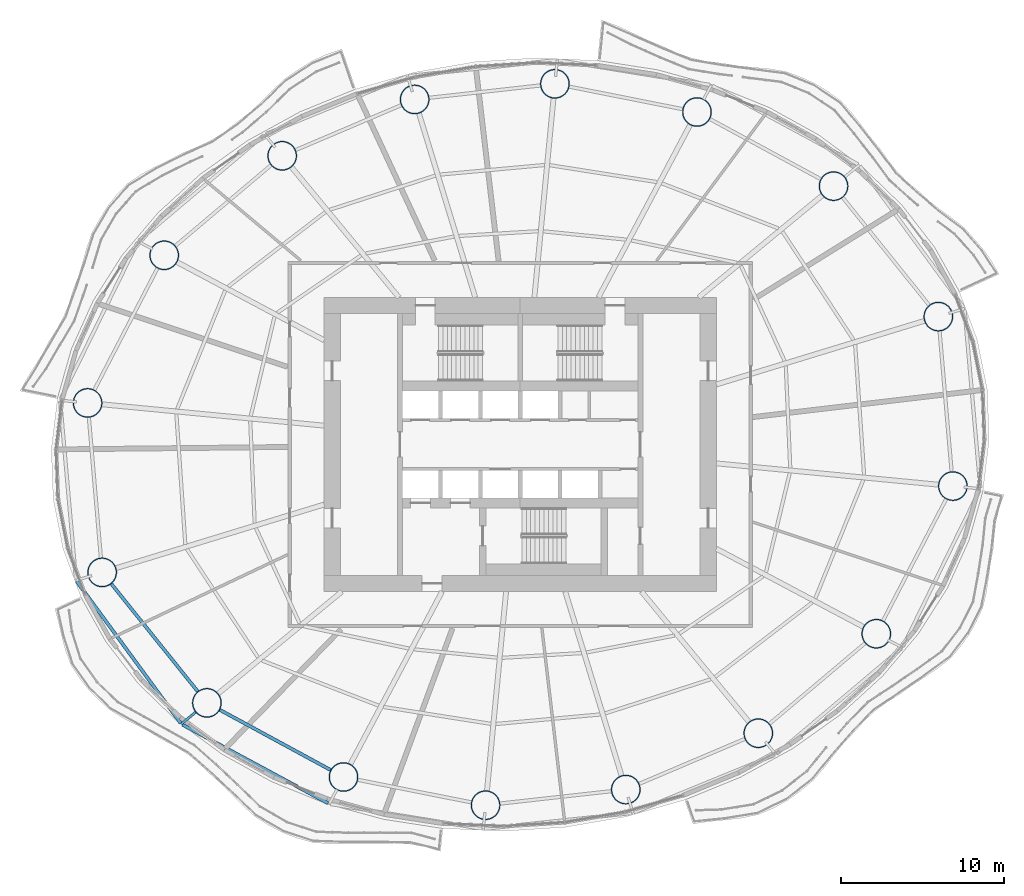
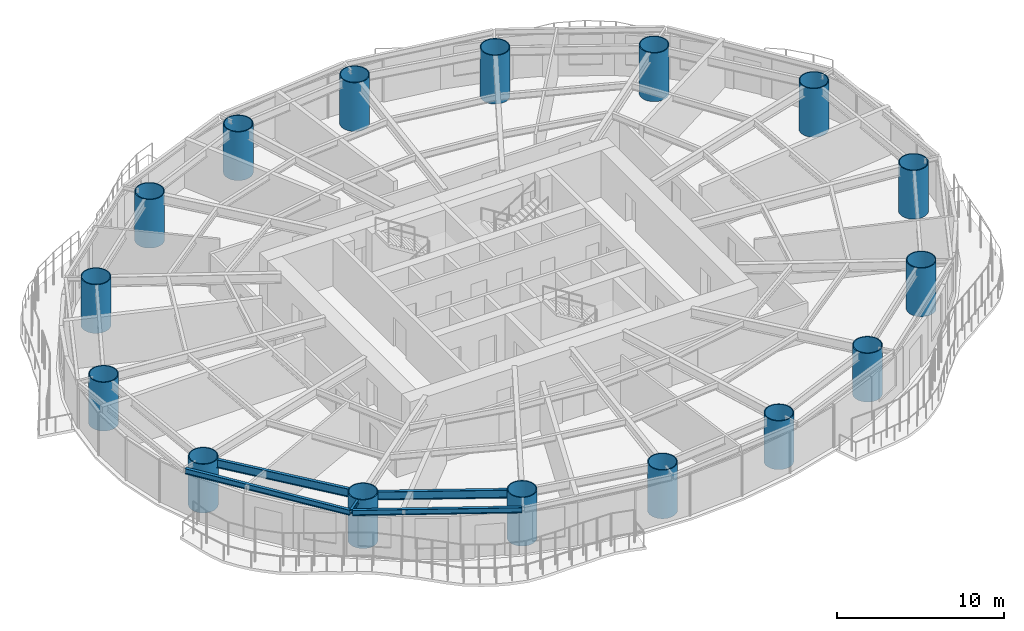
# One storey, part 1 of 16: 16 columns, 5 beams.
"""IFC4 building model written with IfcOpenShell, lengths in metres."""

from ifc_helpers import new_model, si_unit, direction, frame, origin, origin_2d, place, context, subcontext, project, spatial, hollow_circle, i_section, extrude, material, material_profile, profile_set, type_object, element, save


model = new_model("IFC4")

# Units and contexts
model_context = context("Model", 3, precision=1e-05, world=origin(), true_north=direction((0.0, 1.0)))
body_context = subcontext(model_context, "Body", "Model", "MODEL_VIEW")
ifc_project = project(units=[si_unit("LENGTHUNIT", "METRE"), si_unit("AREAUNIT", "SQUARE_METRE"), si_unit("VOLUMEUNIT", "CUBIC_METRE"), si_unit("PLANEANGLEUNIT", "RADIAN"), si_unit("MASSUNIT", "GRAM", prefix="KILO")], contexts=[model_context])

# Site, building, storey
site_placement = place(None, origin())
site = spatial("IfcSite", under=ifc_project, at=site_placement, CompositionType="ELEMENT")
building_placement = place(site_placement, origin())
building = spatial("IfcBuilding", under=site, at=building_placement, Name="Vermilion Reach Broadcast Tower", CompositionType="ELEMENT")
storey_placement = place(building_placement, frame((0.0, 0.0, 61.89990234375)))
storey = spatial("IfcBuildingStorey", under=building, at=storey_placement, Name="L12", CompositionType="ELEMENT", Elevation=61.89990234375)

# Columns
ifc_material_1 = material(Name="Concrete C80 infill in steel S460NL tube", Category="concrete")
ifc_material_profile_1 = material_profile(ifc_material_1, hollow_circle(Radius=0.89990234375, WallThickness=0.06005859375, at=origin_2d()), Name="Concrete C80 infill in steel S460NL tube CFT 1800x60")
ifc_profile_set_1 = profile_set([ifc_material_profile_1], Name="Concrete C80 infill in steel S460NL tube")
column_type = type_object("IfcColumnType", Name="MC1 CFT 1800x60", PredefinedType="COLUMN", material=ifc_profile_set_1)
for number, where, z_axis, x_axis, name in (
    (1, (19.575439453125, 7.823974609375, 0.0), (0.0, 0.0, 1.0), (1.0, 0.0, 0.0), "Mega-column MC1-01"),
    (2, (13.166259765625, 15.804931640625, 0.0), (0.0, 0.0, 1.0), (1.0, 0.0, 0.0), "Mega-column MC1-02"),
    (3, (4.809814453125, 20.3388671875, 0.0), (0.0, 0.0, 1.0), (1.0, 0.0, 0.0), "Mega-column MC1-03"),
    (4, (-3.87939453125, 22.06396484375, 0.0), (0.0, 0.0, 1.0), (1.0, 0.0, 0.0), "Mega-column MC1-04"),
    (5, (-12.45751953125, 21.108154296875, 0.0), (0.0, 0.0, 1.0), (1.0, 0.0, 0.0), "Mega-column MC1-05"),
    (6, (-20.563232421875, 17.660400390625, 0.0), (0.0, 0.0, 1.0), (1.0, 0.0, 0.0), "Mega-column MC1-06"),
    (7, (-27.77978515625, 11.57568359375, 0.0), (0.0, 0.0, 1.0), (1.0, 0.0, 0.0), "Mega-column MC1-07"),
    (8, (-32.464111328125, 2.54345703125, 0.0), (0.0, 0.0, 1.0), (1.0, 0.0, 0.0), "Mega-column MC1-08"),
    (9, (-31.575439453125, -7.823974609375, 0.0), (0.0, 0.0, 1.0), (1.0, 0.0, 0.0), "Mega-column MC1-09"),
    (10, (-25.166259765625, -15.804931640625, 0.0), (0.0, 0.0, 1.0), (1.0, 0.0, 0.0), "Mega-column MC1-10"),
    (11, (-16.809814453125, -20.3388671875, 0.0), (0.0, 0.0, 1.0), (1.0, 0.0, 0.0), "Mega-column MC1-11"),
    (12, (-8.12060546875, -22.06396484375, 0.0), (0.0, 0.0, 1.0), (1.0, 0.0, 0.0), "Mega-column MC1-12"),
    (13, (0.45751953125, -21.108154296875, 0.0), (0.0, 0.0, 1.0), (1.0, 0.0, 0.0), "Mega-column MC1-13"),
    (14, (8.563232421875, -17.660400390625, 0.0), (0.0, 0.0, 1.0), (1.0, 0.0, 0.0), "Mega-column MC1-14"),
    (15, (15.77978515625, -11.57568359375, 0.0), (0.0, 0.0, 1.0), (1.0, 0.0, 0.0), "Mega-column MC1-15"),
    (16, (20.464111328125, -2.54345703125, 0.0), (0.0, 0.0, 1.0), (1.0, 0.0, 0.0), "Mega-column MC1-16"),
):
    element("IfcColumn", number, at=place(storey_placement, frame(where, z_axis=z_axis, x_axis=x_axis)), inside=storey, type_object=column_type, Name=name, PredefinedType="COLUMN", context=body_context, shape_type="SweptSolid", body=[
        extrude(hollow_circle(Radius=0.89990234375, WallThickness=0.06005859375, at=origin_2d()), origin(), (0.0, 0.0, 1.0), 3.550048828125),
    ])

# Beams
ifc_material_2 = material(Name="Steel S355J2", Category="steel")
ifc_material_profile_2 = material_profile(ifc_material_2, i_section(OverallWidth=0.199951171875, OverallDepth=0.39990234375, WebThickness=0.008056640625, FlangeThickness=0.012939453125, at=origin_2d()), Name="S355J2 HN 400x200x8x13")
ifc_profile_set_2 = profile_set([ifc_material_profile_2], Name="Steel S355J2")
beam_type_1 = type_object("IfcBeamType", Name="EB1 HN 400x200x8x13", PredefinedType="BEAM", material=ifc_profile_set_2)
beam_1_placement = place(storey_placement, frame((-33.12841796875, -8.377685546875, 3.35009765625), z_axis=(0.591343950803, -0.806419451556, 0.0), x_axis=(0.806419451556, 0.591343950803, 0.0)))
element("IfcBeam", 17, at=beam_1_placement, inside=storey, type_object=beam_type_1, Name="Edge beam EB1-09", PredefinedType="BEAM", context=body_context, shape_type="SweptSolid", body=[
    extrude(i_section(OverallWidth=0.199951171875, OverallDepth=0.39990234375, WebThickness=0.008056640625, FlangeThickness=0.012939453125, at=origin_2d()), origin(), (0.0, 0.0, 1.0), 10.738525390625),
])
beam_2_placement = place(storey_placement, frame((-26.662841796875, -17.13623046875, 3.35009765625), z_axis=(0.879994667337, -0.474983563356, 0.0), x_axis=(0.474983563356, 0.879994667337, 0.0)))
element("IfcBeam", 18, at=beam_2_placement, inside=storey, type_object=beam_type_1, Name="Edge beam EB1-10", PredefinedType="BEAM", context=body_context, shape_type="SweptSolid", body=[
    extrude(i_section(OverallWidth=0.199951171875, OverallDepth=0.39990234375, WebThickness=0.008056640625, FlangeThickness=0.012939453125, at=origin_2d()), origin(), (0.0, 0.0, 1.0), 10.12890625),
])
ifc_material_3 = material(Name="Steel S355J2", Category="steel")
ifc_material_profile_3 = material_profile(ifc_material_3, i_section(OverallWidth=0.14990234375, OverallDepth=0.300048828125, WebThickness=0.006591796875, FlangeThickness=0.009033203125, at=origin_2d()), Name="S355J2 HN 300x150x6.5x9")
ifc_profile_set_3 = profile_set([ifc_material_profile_3], Name="Steel S355J2")
beam_type_2 = type_object("IfcBeamType", Name="GS1 HN 300x150x6.5x9", PredefinedType="BEAM", material=ifc_profile_set_3)
beam_3_placement = place(storey_placement, frame((-25.860595703125, -16.377685546875, 3.400146484375), z_axis=(-0.771481788311, -0.636251404953, 0.0), x_axis=(0.636251404953, -0.771481788311, 0.0)))
element("IfcBeam", 19, at=beam_3_placement, inside=storey, type_object=beam_type_2, Name="Cantilever stub GS1-10", PredefinedType="BEAM", context=body_context, shape_type="SweptSolid", body=[
    extrude(i_section(OverallWidth=0.14990234375, OverallDepth=0.300048828125, WebThickness=0.006591796875, FlangeThickness=0.009033203125, at=origin_2d()), origin(), (0.0, 0.0, 1.0), 1.132080078125),
])
ifc_material_4 = material(Name="Steel S355J2", Category="steel")
ifc_material_profile_4 = material_profile(ifc_material_4, i_section(OverallWidth=0.199951171875, OverallDepth=0.60009765625, WebThickness=0.010986328125, FlangeThickness=0.01708984375, at=origin_2d()), Name="S355J2 HN 600x200x11x17")
ifc_profile_set_4 = profile_set([ifc_material_profile_4], Name="Steel S355J2")
beam_type_3 = type_object("IfcBeamType", Name="RB1 HN 600x200x11x17", PredefinedType="BEAM", material=ifc_profile_set_4)
beam_4_placement = place(storey_placement, frame((-31.011962890625, -8.52587890625, 3.25), z_axis=(0.626162157191, -0.779692858055, 0.0), x_axis=(0.779692858055, 0.626162157191, 0.0)))
element("IfcBeam", 20, at=beam_4_placement, inside=storey, type_object=beam_type_3, Name="Ring beam RB1-09", PredefinedType="BEAM", context=body_context, shape_type="SweptSolid", body=[
    extrude(i_section(OverallWidth=0.199951171875, OverallDepth=0.60009765625, WebThickness=0.010986328125, FlangeThickness=0.01708984375, at=origin_2d()), origin(), (0.0, 0.0, 1.0), 8.435791015625),
])
beam_5_placement = place(storey_placement, frame((-24.375244140625, -16.234130859375, 3.25), z_axis=(0.878962319551, -0.476891225344, 0.0), x_axis=(0.476891225344, 0.878962319551, 0.0)))
element("IfcBeam", 21, at=beam_5_placement, inside=storey, type_object=beam_type_3, Name="Ring beam RB1-10", PredefinedType="BEAM", context=body_context, shape_type="SweptSolid", body=[
    extrude(i_section(OverallWidth=0.199951171875, OverallDepth=0.60009765625, WebThickness=0.010986328125, FlangeThickness=0.01708984375, at=origin_2d()), origin(), (0.0, 0.0, 1.0), 7.707275390625),
])

save(model, "model.ifc")
